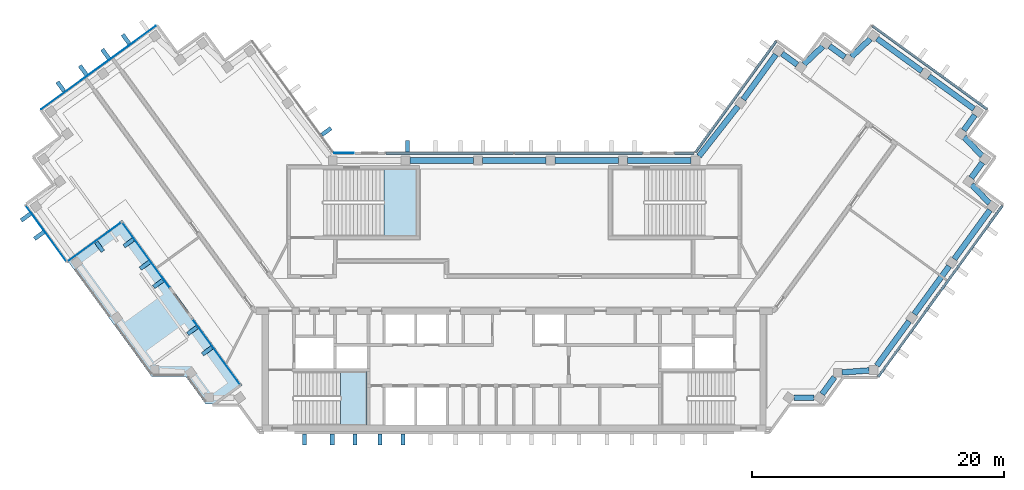
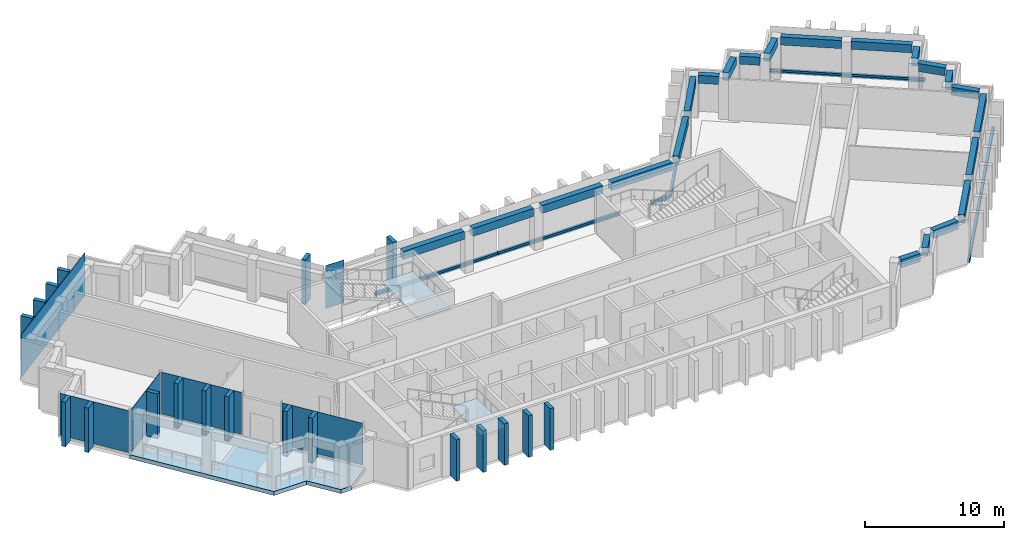
"""IFC4 building model written with IfcOpenShell, lengths in metres."""

from ifc_helpers import new_model, si_unit, direction, frame, origin, origin_2d, place, context, subcontext, project, spatial, polyline, rectangle, outline, extrude, material, layer, layer_set, material_profile, profile_set, type_object, element, aggregate, save


model = new_model("IFC4")

# Units and contexts
model_context = context("Model", 3, precision=1e-05, world=origin(), true_north=direction((0.0, 1.0)))
body_context = subcontext(model_context, "Body", "Model", "MODEL_VIEW")
ifc_project = project(units=[si_unit("LENGTHUNIT", "METRE"), si_unit("AREAUNIT", "SQUARE_METRE"), si_unit("VOLUMEUNIT", "CUBIC_METRE"), si_unit("PLANEANGLEUNIT", "RADIAN"), si_unit("MASSUNIT", "GRAM", prefix="KILO")], contexts=[model_context])

# Site, building, storey
site_placement = place(None, origin())
site = spatial("IfcSite", under=ifc_project, at=site_placement, CompositionType="ELEMENT")
building_placement = place(site_placement, origin())
building = spatial("IfcBuilding", under=site, at=building_placement, Name="Quipu Civic Tower", CompositionType="ELEMENT")
storey_1_placement = place(building_placement, frame((0.0, 0.0, 265.0)))
storey_1 = spatial("IfcBuildingStorey", under=building, at=storey_1_placement, Name="L62", CompositionType="ELEMENT", Elevation=265.0)

# Beams
ifc_material_1 = material(Name="Concrete C50/60", Category="concrete")
ifc_material_profile_1 = material_profile(ifc_material_1, rectangle(XDim=0.449951171875, YDim=0.699951171875, at=origin_2d()), Name="RC450x700")
ifc_profile_set_1 = profile_set([ifc_material_profile_1], Name="Concrete C50/60")
beam_type = type_object("IfcBeamType", Name="Spandrel beam RC 450x700 C50/60", PredefinedType="SPANDREL", material=ifc_profile_set_1)
beam_1_placement = place(storey_1_placement, frame((22.224365234375, -8.31494140625, 3.300048828125), z_axis=(1.0, 0.0, 0.0), x_axis=(0.0, 1.0, 0.0)))
element("IfcBeam", 1, at=beam_1_placement, inside=storey_1, type_object=beam_type, Name="Spandrel beam L62 J-Eo.1 to J-Eo.2", PredefinedType="SPANDREL", context=body_context, shape_type="SweptSolid", body=[
    extrude(rectangle(XDim=0.449951171875, YDim=0.699951171875, at=origin_2d()), origin(), (0.0, 0.0, 1.0), 1.578125),
])
beam_2_placement = place(storey_1_placement, frame((24.44091796875, -8.031982421875, 3.300048828125), z_axis=(0.588407300614, 0.80856468423, 0.0), x_axis=(-0.80856468423, 0.588407300614, 0.0)))
element("IfcBeam", 2, at=beam_2_placement, inside=storey_1, type_object=beam_type, Name="Spandrel beam L62 J-Eo.2 to J-Eo.3", PredefinedType="SPANDREL", context=body_context, shape_type="SweptSolid", body=[
    extrude(rectangle(XDim=0.449951171875, YDim=0.699951171875, at=origin_2d()), origin(), (0.0, 0.0, 1.0), 1.663330078125),
])
beam_3_placement = place(storey_1_placement, frame((26.0244140625, -6.3115234375, 3.300048828125), z_axis=(0.997379352029, 0.072349347934, 0.0), x_axis=(-0.072349347934, 0.997379352029, 0.0)))
element("IfcBeam", 3, at=beam_3_placement, inside=storey_1, type_object=beam_type, Name="Spandrel beam L62 J-Eo.3 to J-Eo.4", PredefinedType="SPANDREL", context=body_context, shape_type="SweptSolid", body=[
    extrude(rectangle(XDim=0.449951171875, YDim=0.699951171875, at=origin_2d()), origin(), (0.0, 0.0, 1.0), 2.15625),
])
beam_4_placement = place(storey_1_placement, frame((28.779296875, -5.780029296875, 3.300048828125), z_axis=(0.58777550284, 0.809024077677, 0.0), x_axis=(-0.809024077677, 0.58777550284, 0.0)))
element("IfcBeam", 4, at=beam_4_placement, inside=storey_1, type_object=beam_type, Name="Spandrel beam L62 J-Eo.4 to E-OUT-01", PredefinedType="SPANDREL", context=body_context, shape_type="SweptSolid", body=[
    extrude(rectangle(XDim=0.449951171875, YDim=0.699951171875, at=origin_2d()), origin(), (0.0, 0.0, 1.0), 4.36083984375),
])
beam_5_placement = place(storey_1_placement, frame((31.75390625, -1.685546875, 3.300048828125), z_axis=(0.587788656305, 0.809014521204, 0.0), x_axis=(-0.809014521204, 0.587788656305, 0.0)))
element("IfcBeam", 5, at=beam_5_placement, inside=storey_1, type_object=beam_type, Name="Spandrel beam L62 E-OUT-01 to E-OUT-02", PredefinedType="SPANDREL", context=body_context, shape_type="SweptSolid", body=[
    extrude(rectangle(XDim=0.449951171875, YDim=0.699951171875, at=origin_2d()), origin(), (0.0, 0.0, 1.0), 4.7001953125),
])
beam_6_placement = place(storey_1_placement, frame((34.927978515625, 2.68310546875, 3.300048828125), z_axis=(0.587905928359, 0.808929304328, 0.0), x_axis=(-0.808929304328, 0.587905928359, 0.0)))
element("IfcBeam", 6, at=beam_6_placement, inside=storey_1, type_object=beam_type, Name="Spandrel beam L62 E-OUT-02 to T-Eo.0-E22", PredefinedType="SPANDREL", context=body_context, shape_type="SweptSolid", body=[
    extrude(rectangle(XDim=0.449951171875, YDim=0.699951171875, at=origin_2d()), origin(), (0.0, 0.0, 1.0), 4.80712890625),
])
beam_7_placement = place(storey_1_placement, frame((37.71484375, 7.11279296875, 3.300048828125), z_axis=(-0.689175330605, 0.724594620244, 0.0), x_axis=(-0.724594620244, -0.689175330605, 0.0)))
element("IfcBeam", 7, at=beam_7_placement, inside=storey_1, type_object=beam_type, Name="Spandrel beam L62 T-Eo.0-E22 to T-Eo.1-E22", PredefinedType="SPANDREL", context=body_context, shape_type="SweptSolid", body=[
    extrude(rectangle(XDim=0.449951171875, YDim=0.699951171875, at=origin_2d()), origin(), (0.0, 0.0, 1.0), 2.033447265625),
])
beam_8_placement = place(storey_1_placement, frame((36.273681640625, 9.12744140625, 3.300048828125), z_axis=(0.587164895097, 0.809467347066, 0.0), x_axis=(-0.809467347066, 0.587164895097, 0.0)))
element("IfcBeam", 8, at=beam_8_placement, inside=storey_1, type_object=beam_type, Name="Spandrel beam L62 T-Eo.1-E22 to T-Eo.2-E22", PredefinedType="SPANDREL", context=body_context, shape_type="SweptSolid", body=[
    extrude(rectangle(XDim=0.449951171875, YDim=0.699951171875, at=origin_2d()), origin(), (0.0, 0.0, 1.0), 1.500244140625),
])
beam_9_placement = place(storey_1_placement, frame((37.114990234375, 10.88330078125, 3.300048828125), z_axis=(-0.688247466856, 0.725475998477, 0.0), x_axis=(-0.725475998477, -0.688247466856, 0.0)))
element("IfcBeam", 9, at=beam_9_placement, inside=storey_1, type_object=beam_type, Name="Spandrel beam L62 T-Eo.2-E22 to T-Eo.3-E22", PredefinedType="SPANDREL", context=body_context, shape_type="SweptSolid", body=[
    extrude(rectangle(XDim=0.449951171875, YDim=0.699951171875, at=origin_2d()), origin(), (0.0, 0.0, 1.0), 2.032958984375),
])
beam_10_placement = place(storey_1_placement, frame((35.6767578125, 12.8994140625, 3.300048828125), z_axis=(0.588345920092, 0.808609348394, 0.0), x_axis=(-0.808609348394, 0.588345920092, 0.0)))
element("IfcBeam", 10, at=beam_10_placement, inside=storey_1, type_object=beam_type, Name="Spandrel beam L62 T-Eo.3-E22 to T-Eo.4-E22", PredefinedType="SPANDREL", context=body_context, shape_type="SweptSolid", body=[
    extrude(rectangle(XDim=0.449951171875, YDim=0.699951171875, at=origin_2d()), origin(), (0.0, 0.0, 1.0), 1.499755859375),
])
beam_11_placement = place(storey_1_placement, frame((36.481689453125, 14.6005859375, 3.300048828125), z_axis=(-0.809117270763, 0.587647208921, 0.0), x_axis=(-0.587647208921, -0.809117270763, 0.0)))
element("IfcBeam", 11, at=beam_11_placement, inside=storey_1, type_object=beam_type, Name="Spandrel beam L62 T-Eo.4-E22 to TIP-E-01-E22", PredefinedType="SPANDREL", context=body_context, shape_type="SweptSolid", body=[
    extrude(rectangle(XDim=0.449951171875, YDim=0.699951171875, at=origin_2d()), origin(), (0.0, 0.0, 1.0), 4.40185546875),
])
beam_12_placement = place(storey_1_placement, frame((32.353759765625, 17.5986328125, 3.300048828125), z_axis=(-0.809146152767, 0.587607439931, 0.0), x_axis=(-0.587607439931, -0.809146152767, 0.0)))
element("IfcBeam", 12, at=beam_12_placement, inside=storey_1, type_object=beam_type, Name="Spandrel beam L62 TIP-E-01-E22 to T-Ei.0-E22", PredefinedType="SPANDREL", context=body_context, shape_type="SweptSolid", body=[
    extrude(rectangle(XDim=0.449951171875, YDim=0.699951171875, at=origin_2d()), origin(), (0.0, 0.0, 1.0), 4.400390625),
])
beam_13_placement = place(storey_1_placement, frame((28.251708984375, 20.14501953125, 3.300048828125), z_axis=(-0.725359138958, -0.688370626574, 0.0), x_axis=(0.688370626574, -0.725359138958, 0.0)))
element("IfcBeam", 13, at=beam_13_placement, inside=storey_1, type_object=beam_type, Name="Spandrel beam L62 T-Ei.0-E22 to T-Ei.1-E22", PredefinedType="SPANDREL", context=body_context, shape_type="SweptSolid", body=[
    extrude(rectangle(XDim=0.449951171875, YDim=0.699951171875, at=origin_2d()), origin(), (0.0, 0.0, 1.0), 2.032958984375),
])
beam_14_placement = place(storey_1_placement, frame((26.236083984375, 18.70654296875, 3.300048828125), z_axis=(-0.808644589435, 0.588297482553, 0.0), x_axis=(-0.588297482553, -0.808644589435, 0.0)))
element("IfcBeam", 14, at=beam_14_placement, inside=storey_1, type_object=beam_type, Name="Spandrel beam L62 T-Ei.1-E22 to T-Ei.2-E22", PredefinedType="SPANDREL", context=body_context, shape_type="SweptSolid", body=[
    extrude(rectangle(XDim=0.449951171875, YDim=0.699951171875, at=origin_2d()), origin(), (0.0, 0.0, 1.0), 1.500244140625),
])
beam_15_placement = place(storey_1_placement, frame((24.48193359375, 19.5498046875, 3.300048828125), z_axis=(-0.72511931772, -0.6886232461, 0.0), x_axis=(0.6886232461, -0.72511931772, 0.0)))
element("IfcBeam", 15, at=beam_15_placement, inside=storey_1, type_object=beam_type, Name="Spandrel beam L62 T-Ei.2-E22 to T-Ei.3-E22", PredefinedType="SPANDREL", context=body_context, shape_type="SweptSolid", body=[
    extrude(rectangle(XDim=0.449951171875, YDim=0.699951171875, at=origin_2d()), origin(), (0.0, 0.0, 1.0), 2.03369140625),
])
beam_16_placement = place(storey_1_placement, frame((22.466064453125, 18.10986328125, 3.300048828125), z_axis=(-0.809461336076, 0.587173181776, 0.0), x_axis=(-0.587173181776, -0.809461336076, 0.0)))
element("IfcBeam", 16, at=beam_16_placement, inside=storey_1, type_object=beam_type, Name="Spandrel beam L62 T-Ei.3-E22 to T-Ei.4-E22", PredefinedType="SPANDREL", context=body_context, shape_type="SweptSolid", body=[
    extrude(rectangle(XDim=0.449951171875, YDim=0.699951171875, at=origin_2d()), origin(), (0.0, 0.0, 1.0), 1.498046875),
])
beam_17_placement = place(storey_1_placement, frame((20.76416015625, 18.911865234375, 3.300048828125), z_axis=(-0.588201428764, -0.808714460857, 0.0), x_axis=(0.808714460857, -0.588201428764, 0.0)))
element("IfcBeam", 17, at=beam_17_placement, inside=storey_1, type_object=beam_type, Name="Spandrel beam L62 T-Ei.4-E22 to E-IN-01", PredefinedType="SPANDREL", context=body_context, shape_type="SweptSolid", body=[
    extrude(rectangle(XDim=0.449951171875, YDim=0.699951171875, at=origin_2d()), origin(), (0.0, 0.0, 1.0), 4.394287109375),
])
beam_18_placement = place(storey_1_placement, frame((17.7578125, 14.799072265625, 3.300048828125), z_axis=(-0.616106034519, -0.787663223865, 0.0), x_axis=(0.787663223865, -0.616106034519, 0.0)))
element("IfcBeam", 18, at=beam_18_placement, inside=storey_1, type_object=beam_type, Name="Spandrel beam L62 E-IN-01 to J-Ei.0", PredefinedType="SPANDREL", context=body_context, shape_type="SweptSolid", body=[
    extrude(rectangle(XDim=0.449951171875, YDim=0.699951171875, at=origin_2d()), origin(), (0.0, 0.0, 1.0), 5.013427734375),
])
for number, where, z_axis, x_axis, name in (
    (19, (14.045166015625, 10.5, 3.300048828125), (-1.0, 0.0, 0.0), (0.0, -1.0, 0.0), "Spandrel beam L62 J-Ei.0 to FRONT-01"),
    (20, (8.287109375, 10.5, 3.300048828125), (-1.0, 0.0, 0.0), (0.0, -1.0, 0.0), "Spandrel beam L62 FRONT-01 to FRONT-02"),
    (21, (2.529052734375, 10.5, 3.300048828125), (-1.0, 0.0, 0.0), (0.0, -1.0, 0.0), "Spandrel beam L62 FRONT-02 to FRONT-03"),
    (22, (-3.22900390625, 10.5, 3.300048828125), (-1.0, 0.0, 0.0), (0.0, -1.0, 0.0), "Spandrel beam L62 FRONT-03 to FRONT-04"),
):
    element("IfcBeam", number, at=place(storey_1_placement, frame(where, z_axis=z_axis, x_axis=x_axis)), inside=storey_1, type_object=beam_type, Name=name, PredefinedType="SPANDREL", context=body_context, shape_type="SweptSolid", body=[
        extrude(rectangle(XDim=0.449951171875, YDim=0.699951171875, at=origin_2d()), origin(), (0.0, 0.0, 1.0), 5.05810546875),
    ])

# Storey
storey_2_placement = place(building_placement, frame((0.0, 0.0, 257.0)))
storey_2 = spatial("IfcBuildingStorey", under=building, at=storey_2_placement, Name="L60", CompositionType="ELEMENT", Elevation=257.0)

# Curtain wall, members
ifc_material_2 = material(Name="Insulated glass unit", Category="glass")
curtain_wall_type = type_object("IfcCurtainWallType", Name="Office curtain wall CW1", PredefinedType="NOTDEFINED", material=ifc_material_2)
curtain_wall_1_placement = place(storey_2_placement, origin())
curtain_wall_1 = element("IfcCurtainWall", 23, at=curtain_wall_1_placement, inside=storey_2, type_object=curtain_wall_type, Name="Office curtain wall CW1 L59 run 13", PredefinedType="NOTDEFINED")
ifc_material_3 = material(Name="Anodised aluminium", Category="aluminium")
ifc_material_profile_2 = material_profile(ifc_material_3, rectangle(XDim=0.199951171875, YDim=0.159912109375, at=origin_2d()), Name="RECT 200x160")
ifc_profile_set_2 = profile_set([ifc_material_profile_2], Name="Anodised aluminium")
member_type = type_object("IfcMemberType", Name="Transom CW1", PredefinedType="USERDEFINED", material=ifc_profile_set_2)
member_1_placement = place(storey_1_placement, frame((28.876708984375, -6.66650390625, 0.0), z_axis=(0.587812107925, 0.808997481935, 0.0), x_axis=(-0.808997481935, 0.587812107925, 0.0)))
member_1 = element("IfcMember", 24, at=member_1_placement, inside=storey_1, type_object=member_type, Name="CW1 transom 1.4", ObjectType="TRANSOM", PredefinedType="USERDEFINED", context=body_context, shape_type="SweptSolid", body=[
    extrude(rectangle(XDim=0.199951171875, YDim=0.159912109375, at=origin_2d()), origin(), (0.0, 0.0, 1.0), 8.35791015625),
])
member_2_placement = place(storey_1_placement, frame((33.83642578125, 0.15966796875, 0.0), z_axis=(0.587779098815, 0.809021465102, 0.0), x_axis=(-0.809021465102, 0.587779098815, 0.0)))
member_2 = element("IfcMember", 25, at=member_2_placement, inside=storey_1, type_object=member_type, Name="CW1 transom 2.4", ObjectType="TRANSOM", PredefinedType="USERDEFINED", context=body_context, shape_type="SweptSolid", body=[
    extrude(rectangle(XDim=0.199951171875, YDim=0.159912109375, at=origin_2d()), origin(), (0.0, 0.0, 1.0), 8.35791015625),
])
aggregate(curtain_wall_1, [member_1, member_2])

# Curtain wall, member
curtain_wall_2_placement = place(storey_2_placement, origin())
curtain_wall_2 = element("IfcCurtainWall", 26, at=curtain_wall_2_placement, inside=storey_2, type_object=curtain_wall_type, Name="Office curtain wall CW1 L59 run 18", PredefinedType="NOTDEFINED")
member_3_placement = place(storey_1_placement, frame((37.536865234375, 14.575927734375, 0.0), z_axis=(-0.809022463805, 0.587777724194, 0.0), x_axis=(-0.587777724194, -0.809022463805, 0.0)))
member_3 = element("IfcMember", 27, at=member_3_placement, inside=storey_1, type_object=member_type, Name="CW1 transom 1.4", ObjectType="TRANSOM", PredefinedType="USERDEFINED", context=body_context, shape_type="SweptSolid", body=[
    extrude(rectangle(XDim=0.199951171875, YDim=0.159912109375, at=origin_2d()), origin(), (0.0, 0.0, 1.0), 11.240234375),
])
aggregate(curtain_wall_2, [member_3])

curtain_wall_3_placement = place(storey_2_placement, origin())
curtain_wall_3 = element("IfcCurtainWall", 28, at=curtain_wall_3_placement, inside=storey_2, type_object=curtain_wall_type, Name="Office curtain wall CW1 L59 run 23", PredefinedType="NOTDEFINED")
member_4_placement = place(storey_1_placement, frame((20.788818359375, 19.97021484375, 0.0), z_axis=(-0.587796859727, -0.809008560953, 0.0), x_axis=(0.809008560953, -0.587796859727, 0.0)))
member_4 = element("IfcMember", 29, at=member_4_placement, inside=storey_1, type_object=member_type, Name="CW1 transom 1.4", ObjectType="TRANSOM", PredefinedType="USERDEFINED", context=body_context, shape_type="SweptSolid", body=[
    extrude(rectangle(XDim=0.199951171875, YDim=0.159912109375, at=origin_2d()), origin(), (0.0, 0.0, 1.0), 10.88427734375),
])
aggregate(curtain_wall_3, [member_4])

curtain_wall_4_placement = place(storey_2_placement, origin())
curtain_wall_4 = element("IfcCurtainWall", 30, at=curtain_wall_4_placement, inside=storey_2, type_object=curtain_wall_type, Name="Office curtain wall CW1 L59 run 24", PredefinedType="NOTDEFINED")
member_5_placement = place(storey_1_placement, frame((14.26416015625, 11.10009765625, 0.0), z_axis=(-1.0, 0.0, 0.0), x_axis=(0.0, -1.0, 0.0)))
member_5 = element("IfcMember", 31, at=member_5_placement, inside=storey_1, type_object=member_type, Name="CW1 transom 1.4", ObjectType="TRANSOM", PredefinedType="USERDEFINED", context=body_context, shape_type="SweptSolid", body=[
    extrude(rectangle(XDim=0.199951171875, YDim=0.159912109375, at=origin_2d()), origin(), (0.0, 0.0, 1.0), 1.529052734375),
])
aggregate(curtain_wall_4, [member_5])

# Curtain wall, members
curtain_wall_5_placement = place(storey_2_placement, origin())
curtain_wall_5 = element("IfcCurtainWall", 32, at=curtain_wall_5_placement, inside=storey_2, type_object=curtain_wall_type, Name="Office curtain wall CW1 L59 run 26", PredefinedType="NOTDEFINED")
member_6_placement = place(storey_1_placement, frame((10.18359375, 11.10009765625, 0.0), z_axis=(-1.0, 0.0, 0.0), x_axis=(0.0, -1.0, 0.0)))
member_6 = element("IfcMember", 33, at=member_6_placement, inside=storey_1, type_object=member_type, Name="CW1 transom 1.4", ObjectType="TRANSOM", PredefinedType="USERDEFINED", context=body_context, shape_type="SweptSolid", body=[
    extrude(rectangle(XDim=0.199951171875, YDim=0.159912109375, at=origin_2d()), origin(), (0.0, 0.0, 1.0), 10.1435546875),
])
member_7_placement = place(storey_1_placement, frame((-0.0400390625, 11.10009765625, 0.0), z_axis=(-1.0, 0.0, 0.0), x_axis=(0.0, -1.0, 0.0)))
member_7 = element("IfcMember", 34, at=member_7_placement, inside=storey_1, type_object=member_type, Name="CW1 transom 2.4", ObjectType="TRANSOM", PredefinedType="USERDEFINED", context=body_context, shape_type="SweptSolid", body=[
    extrude(rectangle(XDim=0.199951171875, YDim=0.159912109375, at=origin_2d()), origin(), (0.0, 0.0, 1.0), 10.1435546875),
])
aggregate(curtain_wall_5, [member_6, member_7])

# Storey
storey_3_placement = place(building_placement, frame((0.0, 0.0, 269.0)))
storey_3 = spatial("IfcBuildingStorey", under=building, at=storey_3_placement, Name="L63", CompositionType="ELEMENT", Elevation=269.0)

# Curtain wall, members
curtain_wall_6_placement = place(storey_3_placement, origin())
curtain_wall_6 = element("IfcCurtainWall", 35, at=curtain_wall_6_placement, inside=storey_3, type_object=curtain_wall_type, Name="Office curtain wall CW1 L62 run 16", PredefinedType="NOTDEFINED")
member_8_placement = place(storey_1_placement, frame((28.876708984375, -6.66650390625, 0.159912109375), z_axis=(0.587812107925, 0.808997481935, 0.0), x_axis=(-0.808997481935, 0.587812107925, 0.0)))
member_8 = element("IfcMember", 36, at=member_8_placement, inside=storey_1, type_object=member_type, Name="CW1 transom 1.1", ObjectType="TRANSOM", PredefinedType="USERDEFINED", context=body_context, shape_type="SweptSolid", body=[
    extrude(rectangle(XDim=0.199951171875, YDim=0.159912109375, at=origin_2d()), origin(), (0.0, 0.0, 1.0), 8.35791015625),
])
member_9_placement = place(storey_1_placement, frame((33.83642578125, 0.15966796875, 0.159912109375), z_axis=(0.587779098815, 0.809021465102, 0.0), x_axis=(-0.809021465102, 0.587779098815, 0.0)))
member_9 = element("IfcMember", 37, at=member_9_placement, inside=storey_1, type_object=member_type, Name="CW1 transom 2.1", ObjectType="TRANSOM", PredefinedType="USERDEFINED", context=body_context, shape_type="SweptSolid", body=[
    extrude(rectangle(XDim=0.199951171875, YDim=0.159912109375, at=origin_2d()), origin(), (0.0, 0.0, 1.0), 8.35791015625),
])
aggregate(curtain_wall_6, [member_8, member_9])

# Curtain wall, member
curtain_wall_7_placement = place(storey_3_placement, origin())
curtain_wall_7 = element("IfcCurtainWall", 38, at=curtain_wall_7_placement, inside=storey_3, type_object=curtain_wall_type, Name="Office curtain wall CW1 L62 run 21", PredefinedType="NOTDEFINED")
member_10_placement = place(storey_1_placement, frame((37.536865234375, 14.575927734375, 0.159912109375), z_axis=(-0.809022463805, 0.587777724194, 0.0), x_axis=(-0.587777724194, -0.809022463805, 0.0)))
member_10 = element("IfcMember", 39, at=member_10_placement, inside=storey_1, type_object=member_type, Name="CW1 transom 1.1", ObjectType="TRANSOM", PredefinedType="USERDEFINED", context=body_context, shape_type="SweptSolid", body=[
    extrude(rectangle(XDim=0.199951171875, YDim=0.159912109375, at=origin_2d()), origin(), (0.0, 0.0, 1.0), 11.240234375),
])
aggregate(curtain_wall_7, [member_10])

curtain_wall_8_placement = place(storey_3_placement, origin())
curtain_wall_8 = element("IfcCurtainWall", 40, at=curtain_wall_8_placement, inside=storey_3, type_object=curtain_wall_type, Name="Office curtain wall CW1 L62 run 26", PredefinedType="NOTDEFINED")
member_11_placement = place(storey_1_placement, frame((20.788818359375, 19.97021484375, 0.159912109375), z_axis=(-0.587796859727, -0.809008560953, 0.0), x_axis=(0.809008560953, -0.587796859727, 0.0)))
member_11 = element("IfcMember", 41, at=member_11_placement, inside=storey_1, type_object=member_type, Name="CW1 transom 1.1", ObjectType="TRANSOM", PredefinedType="USERDEFINED", context=body_context, shape_type="SweptSolid", body=[
    extrude(rectangle(XDim=0.199951171875, YDim=0.159912109375, at=origin_2d()), origin(), (0.0, 0.0, 1.0), 10.88427734375),
])
aggregate(curtain_wall_8, [member_11])

curtain_wall_9_placement = place(storey_3_placement, origin())
curtain_wall_9 = element("IfcCurtainWall", 42, at=curtain_wall_9_placement, inside=storey_3, type_object=curtain_wall_type, Name="Office curtain wall CW1 L62 run 27", PredefinedType="NOTDEFINED")
member_12_placement = place(storey_1_placement, frame((14.26416015625, 11.10009765625, 0.159912109375), z_axis=(-1.0, 0.0, 0.0), x_axis=(0.0, -1.0, 0.0)))
member_12 = element("IfcMember", 43, at=member_12_placement, inside=storey_1, type_object=member_type, Name="CW1 transom 1.1", ObjectType="TRANSOM", PredefinedType="USERDEFINED", context=body_context, shape_type="SweptSolid", body=[
    extrude(rectangle(XDim=0.199951171875, YDim=0.159912109375, at=origin_2d()), origin(), (0.0, 0.0, 1.0), 1.529052734375),
])
aggregate(curtain_wall_9, [member_12])

# Curtain wall, members
curtain_wall_10_placement = place(storey_3_placement, origin())
curtain_wall_10 = element("IfcCurtainWall", 44, at=curtain_wall_10_placement, inside=storey_3, type_object=curtain_wall_type, Name="Office curtain wall CW1 L62 run 29", PredefinedType="NOTDEFINED")
member_13_placement = place(storey_1_placement, frame((10.18359375, 11.10009765625, 0.159912109375), z_axis=(-1.0, 0.0, 0.0), x_axis=(0.0, -1.0, 0.0)))
member_13 = element("IfcMember", 45, at=member_13_placement, inside=storey_1, type_object=member_type, Name="CW1 transom 1.1", ObjectType="TRANSOM", PredefinedType="USERDEFINED", context=body_context, shape_type="SweptSolid", body=[
    extrude(rectangle(XDim=0.199951171875, YDim=0.159912109375, at=origin_2d()), origin(), (0.0, 0.0, 1.0), 10.1435546875),
])
member_14_placement = place(storey_1_placement, frame((-0.0400390625, 11.10009765625, 0.159912109375), z_axis=(-1.0, 0.0, 0.0), x_axis=(0.0, -1.0, 0.0)))
member_14 = element("IfcMember", 46, at=member_14_placement, inside=storey_1, type_object=member_type, Name="CW1 transom 2.1", ObjectType="TRANSOM", PredefinedType="USERDEFINED", context=body_context, shape_type="SweptSolid", body=[
    extrude(rectangle(XDim=0.199951171875, YDim=0.159912109375, at=origin_2d()), origin(), (0.0, 0.0, 1.0), 10.1435546875),
])
aggregate(curtain_wall_10, [member_13, member_14])

# Curtain wall, plate
curtain_wall_11_placement = place(storey_1_placement, origin())
curtain_wall_11 = element("IfcCurtainWall", 47, at=curtain_wall_11_placement, inside=storey_1, type_object=curtain_wall_type, Name="Office curtain wall CW1 L62 run 1", PredefinedType="NOTDEFINED")
ifc_material_4 = material(Name="Insulated glass unit", Category="glass")
ifc_layer_1 = layer(ifc_material_4, 0.028076171875)
ifc_layer_set_1 = layer_set([ifc_layer_1], Name="Insulated glass unit")
plate_type_1 = type_object("IfcPlateType", Name="Glass panel CW1", PredefinedType="CURTAIN_PANEL", material=ifc_layer_set_1)
plate_1_placement = place(storey_1_placement, frame((-37.150390625, 4.720947265625, 0.240234375), z_axis=(0.0, 0.0, 1.0), x_axis=(0.587793636059, -0.809010903145, 0.0)))
plate_1 = element("IfcPlate", 48, at=plate_1_placement, type_object=plate_type_1, Name="CW1 panel 1.1", PredefinedType="CURTAIN_PANEL", context=body_context, shape_type="SweptSolid", body=[
    extrude(rectangle(XDim=5.43994140625, YDim=0.028076171875, at=origin_2d()), origin(), (0.0, 0.0, 1.0), 3.679931640625),
])
aggregate(curtain_wall_11, [plate_1])

curtain_wall_12_placement = place(storey_1_placement, origin())
curtain_wall_12 = element("IfcCurtainWall", 49, at=curtain_wall_12_placement, inside=storey_1, type_object=curtain_wall_type, Name="Office curtain wall CW1 L62 run 2", PredefinedType="NOTDEFINED")
plate_2_placement = place(storey_1_placement, frame((-33.320068359375, 4.042724609375, 0.240234375), z_axis=(0.0, 0.0, 1.0), x_axis=(0.809021075291, 0.587779635352, 0.0)))
plate_2 = element("IfcPlate", 50, at=plate_2_placement, type_object=plate_type_1, Name="CW1 panel 1.1", PredefinedType="CURTAIN_PANEL", context=body_context, shape_type="SweptSolid", body=[
    extrude(rectangle(XDim=5.239990234375, YDim=0.028076171875, at=origin_2d()), origin(), (0.0, 0.0, 1.0), 3.679931640625),
])
aggregate(curtain_wall_12, [plate_2])

curtain_wall_13_placement = place(storey_1_placement, origin())
curtain_wall_13 = element("IfcCurtainWall", 51, at=curtain_wall_13_placement, inside=storey_1, type_object=curtain_wall_type, Name="Office curtain wall CW1 L62 run 3", PredefinedType="NOTDEFINED")
plate_3_placement = place(storey_1_placement, frame((-29.219970703125, 2.992919921875, 0.240234375), z_axis=(0.0, 0.0, 1.0), x_axis=(0.587778491936, -0.809021906018, 0.0)))
plate_3 = element("IfcPlate", 52, at=plate_3_placement, type_object=plate_type_1, Name="CW1 panel 1.1", PredefinedType="CURTAIN_PANEL", context=body_context, shape_type="SweptSolid", body=[
    extrude(rectangle(XDim=6.358642578125, YDim=0.028076171875, at=origin_2d()), origin(), (0.0, 0.0, 1.0), 3.679931640625),
])
aggregate(curtain_wall_13, [plate_3])

curtain_wall_14_placement = place(storey_1_placement, origin())
curtain_wall_14 = element("IfcCurtainWall", 53, at=curtain_wall_14_placement, inside=storey_1, type_object=curtain_wall_type, Name="Office curtain wall CW1 L62 run 5", PredefinedType="NOTDEFINED")
plate_4_placement = place(storey_1_placement, frame((-23.64697265625, -4.677734375, 0.240234375), z_axis=(0.0, 0.0, 1.0), x_axis=(0.587783041125, -0.809018600878, 0.0)))
plate_4 = element("IfcPlate", 54, at=plate_4_placement, type_object=plate_type_1, Name="CW1 panel 1.1", PredefinedType="CURTAIN_PANEL", context=body_context, shape_type="SweptSolid", body=[
    extrude(rectangle(XDim=6.3583984375, YDim=0.028076171875, at=origin_2d()), origin(), (0.0, 0.0, 1.0), 3.679931640625),
])
aggregate(curtain_wall_14, [plate_4])

curtain_wall_15_placement = place(storey_3_placement, origin())
curtain_wall_15 = element("IfcCurtainWall", 55, at=curtain_wall_15_placement, inside=storey_3, type_object=curtain_wall_type, Name="Office curtain wall CW1 L62 run 31", PredefinedType="NOTDEFINED")
plate_5_placement = place(storey_1_placement, frame((-13.49951171875, 11.10009765625, 0.240234375), z_axis=(0.0, 0.0, 1.0), x_axis=(-1.0, 0.0, 0.0)))
plate_5 = element("IfcPlate", 56, at=plate_5_placement, inside=storey_1, type_object=plate_type_1, Name="CW1 panel 1.1", PredefinedType="CURTAIN_PANEL", context=body_context, shape_type="SweptSolid", body=[
    extrude(rectangle(XDim=1.529296875, YDim=0.028076171875, at=origin_2d()), origin(), (0.0, 0.0, 1.0), 3.760009765625),
])
aggregate(curtain_wall_15, [plate_5])

curtain_wall_16_placement = place(storey_3_placement, origin())
curtain_wall_16 = element("IfcCurtainWall", 57, at=curtain_wall_16_placement, inside=storey_3, type_object=curtain_wall_type, Name="Office curtain wall CW1 L62 run 37", PredefinedType="NOTDEFINED")
plate_6_placement = place(storey_1_placement, frame((-32.989990234375, 17.87939453125, 0.240234375), z_axis=(0.0, 0.0, 1.0), x_axis=(-0.809015176832, -0.587787753918, 0.0)))
plate_6 = element("IfcPlate", 58, at=plate_6_placement, inside=storey_1, type_object=plate_type_1, Name="CW1 panel 1.1", PredefinedType="CURTAIN_PANEL", context=body_context, shape_type="SweptSolid", body=[
    extrude(rectangle(XDim=11.239990234375, YDim=0.028076171875, at=origin_2d()), origin(), (0.0, 0.0, 1.0), 3.760009765625),
])
aggregate(curtain_wall_16, [plate_6])

# Plates
ifc_material_5 = material(Name="Precast concrete C40/50", Category="concrete")
plate_type_2 = type_object("IfcPlateType", Name="Precast fin F3", PredefinedType="SHEET", material=ifc_material_5)
for number, where, z_axis, x_axis, name in (
    (59, (-38.764892578125, 6.007568359375, 0.080078125), (0.0, 0.0, 1.0), (0.587788441518, -0.809014677257, 0.0), "Precast fin F3 L62.1.1"),
    (60, (-37.70703125, 4.55126953125, 0.080078125), (0.0, 0.0, 1.0), (0.587788441518, -0.809014677257, 0.0), "Precast fin F3 L62.1.2"),
    (61, (-32.907958984375, 3.662353515625, 0.080078125), (0.0, 0.0, 1.0), (0.809021075291, 0.587779635352, 0.0), "Precast fin F3 L62.2.2"),
    (62, (-30.60498046875, 3.96337890625, 0.080078125), (0.0, 0.0, 1.0), (0.587783675566, -0.809018139931, 0.0), "Precast fin F3 L62.3.1"),
    (63, (-29.31201171875, 2.18359375, 0.080078125), (0.0, 0.0, 1.0), (0.587783675566, -0.809018139931, 0.0), "Precast fin F3 L62.3.2"),
    (64, (-28.25390625, 0.727294921875, 0.080078125), (0.0, 0.0, 1.0), (0.587783675566, -0.809018139931, 0.0), "Precast fin F3 L62.3.3"),
    (65, (-25.550048828125, -2.994140625, 0.080078125), (0.0, 0.0, 1.0), (0.587783675566, -0.809018139931, 0.0), "Precast fin F3 L62.5.1"),
    (66, (-24.37451171875, -4.6123046875, 0.080078125), (0.0, 0.0, 1.0), (0.587783675566, -0.809018139931, 0.0), "Precast fin F3 L62.5.2"),
):
    element("IfcPlate", number, at=place(storey_1_placement, frame(where, z_axis=z_axis, x_axis=x_axis)), inside=storey_1, type_object=plate_type_2, Name=name, PredefinedType="SHEET", context=body_context, shape_type="SweptSolid", body=[
        extrude(rectangle(XDim=0.320068359375, YDim=0.89990234375, at=origin_2d()), origin(), (0.0, 0.0, 1.0), 3.919921875),
    ])
for number, where, z_axis, x_axis, name in (
    (67, (-16.639892578125, -11.637939453125, 0.0), (0.0, 0.0, 1.0), (1.0, 0.0, 0.0), "Precast fin F3 L62.10.1"),
    (68, (-14.43994140625, -11.637939453125, 0.0), (0.0, 0.0, 1.0), (1.0, 0.0, 0.0), "Precast fin F3 L62.10.2"),
    (69, (-12.639892578125, -11.637939453125, 0.0), (0.0, 0.0, 1.0), (1.0, 0.0, 0.0), "Precast fin F3 L62.10.3"),
    (70, (-10.639892578125, -11.637939453125, 0.0), (0.0, 0.0, 1.0), (1.0, 0.0, 0.0), "Precast fin F3 L62.10.4"),
    (71, (-8.840087890625, -11.637939453125, 0.0), (0.0, 0.0, 1.0), (1.0, 0.0, 0.0), "Precast fin F3 L62.10.5"),
):
    element("IfcPlate", number, at=place(storey_1_placement, frame(where, z_axis=z_axis, x_axis=x_axis)), inside=storey_1, type_object=plate_type_2, Name=name, PredefinedType="SHEET", context=body_context, shape_type="SweptSolid", body=[
        extrude(rectangle(XDim=0.320068359375, YDim=0.89990234375, at=origin_2d()), origin(), (0.0, 0.0, 1.0), 3.64990234375),
    ])
for number, where, z_axis, x_axis, name in (
    (72, (-8.4599609375, 11.64990234375, 0.080078125), (0.0, 0.0, 1.0), (-1.0, 0.0, 0.0), "Precast fin F3 L62.29.10"),
    (73, (-14.90380859375, 12.805908203125, 0.080078125), (0.0, 0.0, 1.0), (-0.58778443384, 0.809017589015, 0.0), "Precast fin F3 L62.32.1"),
    (74, (-30.8134765625, 20.140625, 0.080078125), (0.0, 0.0, 1.0), (-0.809017072762, -0.587785144401, 0.0), "Precast fin F3 L62.37.2"),
    (75, (-32.431640625, 18.96484375, 0.080078125), (0.0, 0.0, 1.0), (-0.809017072762, -0.587785144401, 0.0), "Precast fin F3 L62.37.3"),
    (76, (-34.21142578125, 17.671875, 0.080078125), (0.0, 0.0, 1.0), (-0.809017072762, -0.587785144401, 0.0), "Precast fin F3 L62.37.4"),
    (77, (-35.9912109375, 16.378662109375, 0.080078125), (0.0, 0.0, 1.0), (-0.809017072762, -0.587785144401, 0.0), "Precast fin F3 L62.37.5"),
):
    element("IfcPlate", number, at=place(storey_1_placement, frame(where, z_axis=z_axis, x_axis=x_axis)), inside=storey_1, type_object=plate_type_2, Name=name, PredefinedType="SHEET", context=body_context, shape_type="SweptSolid", body=[
        extrude(rectangle(XDim=0.320068359375, YDim=0.89990234375, at=origin_2d()), origin(), (0.0, 0.0, 1.0), 3.919921875),
    ])

# Stair, slab
ifc_material_6 = material(Name="Concrete C40/50", Category="concrete")
stair_type_1 = type_object("IfcStairType", Name="Half turn stair 2000", PredefinedType="HALF_TURN_STAIR", material=ifc_material_6)
stair_1_placement = place(storey_1_placement, origin())
stair_1 = element("IfcStair", 78, at=stair_1_placement, inside=storey_1, type_object=stair_type_1, Name="Exit stair 1", PredefinedType="HALF_TURN_STAIR")
ifc_material_7 = material(Name="Concrete C40/50", Category="concrete")
ifc_layer_2 = layer(ifc_material_7, 0.199951171875)
ifc_layer_set_2 = layer_set([ifc_layer_2], Name="Concrete C40/50")
slab_type_1 = type_object("IfcSlabType", Name="Stair landing 200", PredefinedType="LANDING", material=ifc_layer_set_2)
slab_1_placement = place(storey_1_placement, frame((0.0, 0.0, 1.800048828125)))
slab_1 = element("IfcSlab", 79, at=slab_1_placement, type_object=slab_type_1, Name="ST-1 landing 1", PredefinedType="LANDING", context=body_context, shape_type="SweptSolid", body=[
    extrude(outline(polyline([(-13.780029296875, -10.5), (-11.699951171875, -10.5), (-11.699951171875, -6.25), (-13.780029296875, -6.25), (-13.780029296875, -10.5)])), origin(), (0.0, 0.0, 1.0), 0.199951171875),
])
aggregate(stair_1, [slab_1])

ifc_material_8 = material(Name="Concrete C40/50", Category="concrete")
stair_type_2 = type_object("IfcStairType", Name="Half turn stair 2600", PredefinedType="HALF_TURN_STAIR", material=ifc_material_8)
stair_2_placement = place(storey_1_placement, origin())
stair_2 = element("IfcStair", 80, at=stair_2_placement, inside=storey_1, type_object=stair_type_2, Name="Exit stair 3", PredefinedType="HALF_TURN_STAIR")
slab_2_placement = place(storey_1_placement, frame((0.0, 0.0, 1.800048828125)))
slab_2 = element("IfcSlab", 81, at=slab_2_placement, type_object=slab_type_1, Name="ST-3 landing 1", PredefinedType="LANDING", context=body_context, shape_type="SweptSolid", body=[
    extrude(outline(polyline([(-10.35009765625, 4.5), (-7.75, 4.5), (-7.75, 9.85009765625), (-10.35009765625, 9.85009765625), (-10.35009765625, 4.5)])), origin(), (0.0, 0.0, 1.0), 0.199951171875),
])
aggregate(stair_2, [slab_2])

# Slab
ifc_material_9 = material(Name="Concrete C40/50", Category="concrete")
ifc_layer_3 = layer(ifc_material_9, 0.35009765625)
ifc_layer_set_3 = layer_set([ifc_layer_3], Name="Concrete C40/50")
slab_type_2 = type_object("IfcSlabType", Name="Terrace slab 350 C40/50", PredefinedType="FLOOR", material=ifc_layer_set_3)
slab_3_placement = place(storey_1_placement, frame((0.0, 0.0, -0.35009765625)))
element("IfcSlab", 82, at=slab_3_placement, inside=storey_1, type_object=slab_type_2, Name="Terrace slab L62", PredefinedType="FLOOR", context=body_context, shape_type="SweptSolid", body=[
    extrude(outline(polyline([(-26.080078125, -6.6298828125), (-28.780029296875, -6.6298828125), (-35.47998046875, 2.594970703125), (-31.114990234375, 5.77001953125), (-21.590087890625, -7.3349609375), (-23.625, -8.81494140625), (-24.489990234375, -8.81494140625), (-26.080078125, -6.6298828125)])), origin(), (0.0, 0.0, 1.0), 0.35009765625),
])

save(model, "model.ifc")
